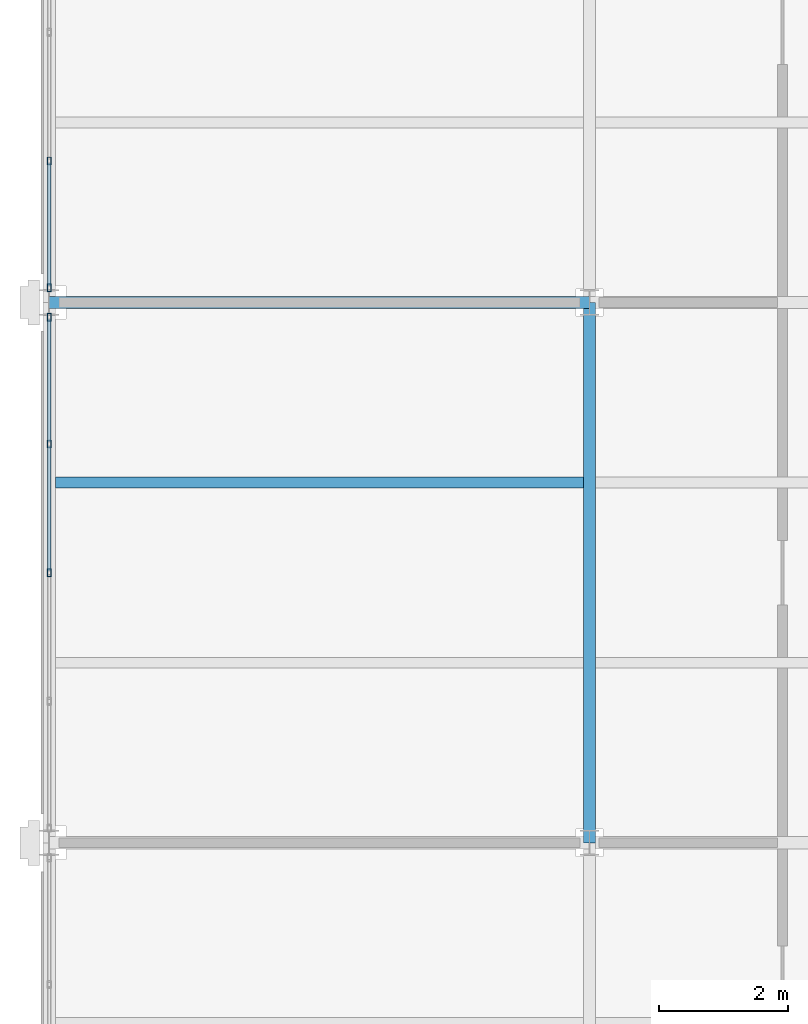
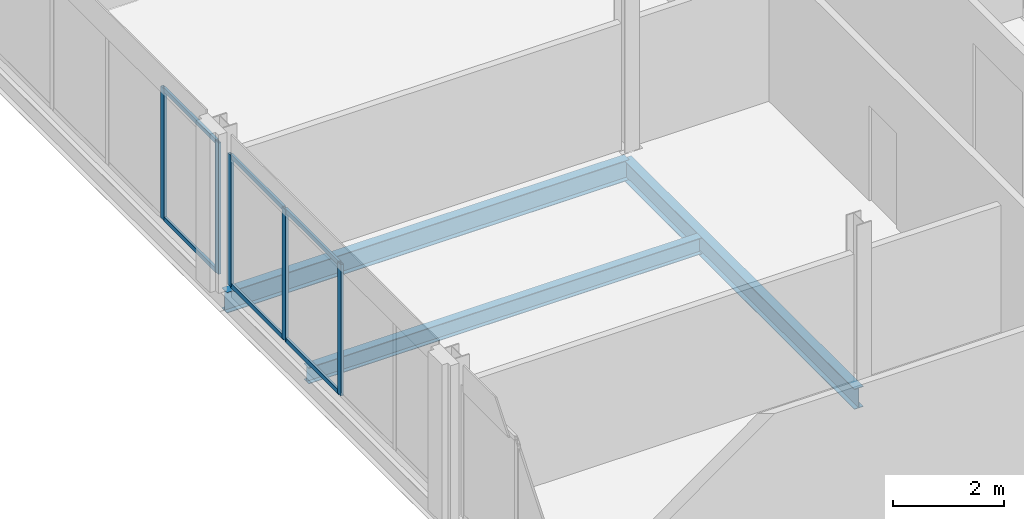
# One storey, part 14 of 32: 11 members, 3 beams, 2 elements without a shape of their own.
"""IFC4 building model written with IfcOpenShell, lengths in metres."""

from ifc_helpers import new_model, si_unit, direction, frame, origin, origin_2d, place, context, subcontext, project, spatial, hollow_rectangle, i_section, extrude, material, material_profile, profile_set, type_object, element, aggregate, save


model = new_model("IFC4")

# Units and contexts
model_context = context("Model", 3, precision=1e-05, world=origin(), true_north=direction((0.0, 1.0)))
body_context = subcontext(model_context, "Body", "Model", "MODEL_VIEW")
ifc_project = project(units=[si_unit("LENGTHUNIT", "METRE"), si_unit("AREAUNIT", "SQUARE_METRE"), si_unit("VOLUMEUNIT", "CUBIC_METRE"), si_unit("PLANEANGLEUNIT", "RADIAN"), si_unit("MASSUNIT", "GRAM", prefix="KILO")], contexts=[model_context])

# Site, building, storey
site_placement = place(None, origin())
site = spatial("IfcSite", under=ifc_project, at=site_placement, CompositionType="ELEMENT")
building_placement = place(site_placement, origin())
building = spatial("IfcBuilding", under=site, at=building_placement, Name="Catenary Quay Ferry Terminal", CompositionType="ELEMENT")
storey_placement = place(building_placement, frame((0.0, 0.0, 17.10009765625)))
storey = spatial("IfcBuildingStorey", under=building, at=storey_placement, Name="L03", CompositionType="ELEMENT", Elevation=17.10009765625)

# Beams
ifc_material_1 = material(Name="Steel S355", Category="steel")
ifc_material_profile_1 = material_profile(ifc_material_1, i_section(OverallWidth=0.18994140625, OverallDepth=0.453369140625, WebThickness=0.008544921875, FlangeThickness=0.0126953125, at=origin_2d()), Name="UB 457x191x67")
ifc_profile_set_1 = profile_set([ifc_material_profile_1], Name="Steel S355")
beam_type_1 = type_object("IfcBeamType", Name="B1 UB 457x191x67", PredefinedType="BEAM", material=ifc_profile_set_1)
beam_1_placement = place(storey_placement, frame((25.199951171875, 193.199951171875, -0.47705078125), z_axis=(1.0, 0.0, 0.0), x_axis=(0.0, 1.0, 0.0)))
element("IfcBeam", 1, at=beam_1_placement, inside=storey, type_object=beam_type_1, Name="Beam B1-007", PredefinedType="BEAM", context=body_context, shape_type="SweptSolid", body=[
    extrude(i_section(OverallWidth=0.18994140625, OverallDepth=0.453369140625, WebThickness=0.008544921875, FlangeThickness=0.0126953125, at=origin_2d()), origin(), (0.0, 0.0, 1.0), 8.400146484375),
])
beam_2_placement = place(storey_placement, frame((33.60009765625, 184.800048828125, -0.47705078125), z_axis=(0.0, 1.0, 0.0), x_axis=(-1.0, 0.0, 0.0)))
element("IfcBeam", 2, at=beam_2_placement, inside=storey, type_object=beam_type_1, Name="Beam B1-024", PredefinedType="BEAM", context=body_context, shape_type="SweptSolid", body=[
    extrude(i_section(OverallWidth=0.18994140625, OverallDepth=0.453369140625, WebThickness=0.008544921875, FlangeThickness=0.0126953125, at=origin_2d()), origin(), (0.0, 0.0, 1.0), 8.39990234375),
])
ifc_material_2 = material(Name="Steel S355", Category="steel")
ifc_material_profile_2 = material_profile(ifc_material_2, i_section(OverallWidth=0.169921875, OverallDepth=0.360107421875, WebThickness=0.008056640625, FlangeThickness=0.0126953125, at=origin_2d()), Name="IPE 360")
ifc_profile_set_2 = profile_set([ifc_material_profile_2], Name="Steel S355")
beam_type_2 = type_object("IfcBeamType", Name="B7 IPE 360", PredefinedType="BEAM", material=ifc_profile_set_2)
beam_3_placement = place(storey_placement, frame((25.294921875, 190.39990234375, -0.43017578125), z_axis=(1.0, 0.0, 0.0), x_axis=(0.0, 1.0, 0.0)))
element("IfcBeam", 3, at=beam_3_placement, inside=storey, type_object=beam_type_2, Name="Beam B7-040", PredefinedType="BEAM", context=body_context, shape_type="SweptSolid", body=[
    extrude(i_section(OverallWidth=0.169921875, OverallDepth=0.360107421875, WebThickness=0.008056640625, FlangeThickness=0.0126953125, at=origin_2d()), origin(), (0.0, 0.0, 1.0), 8.2099609375),
])

# Curtain wall, members
ifc_material_3 = material(Name="Aluminium and glass", Category="aluminium")
curtain_wall_type = type_object("IfcCurtainWallType", Name="CWW3", PredefinedType="NOTDEFINED", material=ifc_material_3)
curtain_wall_1_placement = place(storey_placement, origin())
curtain_wall_1 = element("IfcCurtainWall", 4, at=curtain_wall_1_placement, inside=storey, type_object=curtain_wall_type, Name="Wing curtain wall CW152", PredefinedType="NOTDEFINED")
ifc_material_4 = material(Name="Aluminium", Category="aluminium")
ifc_material_profile_3 = material_profile(ifc_material_4, hollow_rectangle(XDim=0.06005859375, YDim=0.1201171875, WallThickness=0.0048828125, at=origin_2d()), Name="MU4")
ifc_profile_set_3 = profile_set([ifc_material_profile_3], Name="Aluminium")
member_type_1 = type_object("IfcMemberType", Name="MU4", PredefinedType="MULLION", material=ifc_profile_set_3)
member_1_placement = place(storey_placement, frame((25.199951171875, 189.0, 0.0), z_axis=(0.0, 0.0, 1.0), x_axis=(-1.0, 0.0, 0.0)))
member_1 = element("IfcMember", 5, at=member_1_placement, type_object=member_type_1, Name="CW152 mullion 3", PredefinedType="MULLION", context=body_context, shape_type="SweptSolid", body=[
    extrude(hollow_rectangle(XDim=0.06005859375, YDim=0.1201171875, WallThickness=0.0048828125, at=origin_2d()), origin(), (0.0, 0.0, 1.0), 2.89990234375),
])
member_2_placement = place(storey_placement, frame((25.199951171875, 191.0, 0.0), z_axis=(0.0, 0.0, 1.0), x_axis=(-1.0, 0.0, 0.0)))
member_2 = element("IfcMember", 6, at=member_2_placement, type_object=member_type_1, Name="CW152 mullion 4", PredefinedType="MULLION", context=body_context, shape_type="SweptSolid", body=[
    extrude(hollow_rectangle(XDim=0.06005859375, YDim=0.1201171875, WallThickness=0.0048828125, at=origin_2d()), origin(), (0.0, 0.0, 1.0), 2.89990234375),
])
member_3_placement = place(storey_placement, frame((25.199951171875, 192.969970703125, 0.0), z_axis=(0.0, 0.0, 1.0), x_axis=(-1.0, 0.0, 0.0)))
member_3 = element("IfcMember", 7, at=member_3_placement, type_object=member_type_1, Name="CW152 mullion 5", PredefinedType="MULLION", context=body_context, shape_type="SweptSolid", body=[
    extrude(hollow_rectangle(XDim=0.06005859375, YDim=0.1201171875, WallThickness=0.0048828125, at=origin_2d()), origin(), (0.0, 0.0, 1.0), 2.89990234375),
])

curtain_wall_2_placement = place(storey_placement, origin())
curtain_wall_2 = element("IfcCurtainWall", 8, at=curtain_wall_2_placement, inside=storey, type_object=curtain_wall_type, Name="Wing curtain wall CW153", PredefinedType="NOTDEFINED")
member_4_placement = place(storey_placement, frame((25.199951171875, 193.429931640625, 0.0), z_axis=(0.0, 0.0, 1.0), x_axis=(-1.0, 0.0, 0.0)))
member_4 = element("IfcMember", 9, at=member_4_placement, type_object=member_type_1, Name="CW153 mullion 1", PredefinedType="MULLION", context=body_context, shape_type="SweptSolid", body=[
    extrude(hollow_rectangle(XDim=0.06005859375, YDim=0.1201171875, WallThickness=0.0048828125, at=origin_2d()), origin(), (0.0, 0.0, 1.0), 2.89990234375),
])
member_5_placement = place(storey_placement, frame((25.199951171875, 195.39990234375, 0.0), z_axis=(0.0, 0.0, 1.0), x_axis=(-1.0, 0.0, 0.0)))
member_5 = element("IfcMember", 10, at=member_5_placement, type_object=member_type_1, Name="CW153 mullion 2", PredefinedType="MULLION", context=body_context, shape_type="SweptSolid", body=[
    extrude(hollow_rectangle(XDim=0.06005859375, YDim=0.1201171875, WallThickness=0.0048828125, at=origin_2d()), origin(), (0.0, 0.0, 1.0), 2.89990234375),
])

# Member
ifc_material_5 = material(Name="Aluminium", Category="aluminium")
ifc_material_profile_4 = material_profile(ifc_material_5, hollow_rectangle(XDim=0.050048828125, YDim=0.10009765625, WallThickness=0.00390625, at=origin_2d()), Name="TR4")
ifc_profile_set_4 = profile_set([ifc_material_profile_4], Name="Aluminium")
member_type_2 = type_object("IfcMemberType", Name="TR4", PredefinedType="USERDEFINED", material=ifc_profile_set_4)
member_6_placement = place(storey_placement, frame((25.199951171875, 189.030029296875, 0.02490234375), z_axis=(0.0, 1.0, 0.0), x_axis=(-1.0, 0.0, 0.0)))
member_6 = element("IfcMember", 11, at=member_6_placement, type_object=member_type_2, Name="CW152 transom 3.1", ObjectType="TRANSOM", PredefinedType="USERDEFINED", context=body_context, shape_type="SweptSolid", body=[
    extrude(hollow_rectangle(XDim=0.050048828125, YDim=0.10009765625, WallThickness=0.00390625, at=origin_2d()), origin(), (0.0, 0.0, 1.0), 1.93994140625),
])

member_7_placement = place(storey_placement, frame((25.199951171875, 189.030029296875, 2.875), z_axis=(0.0, 1.0, 0.0), x_axis=(-1.0, 0.0, 0.0)))
member_7 = element("IfcMember", 12, at=member_7_placement, type_object=member_type_2, Name="CW152 transom 3.2", ObjectType="TRANSOM", PredefinedType="USERDEFINED", context=body_context, shape_type="SweptSolid", body=[
    extrude(hollow_rectangle(XDim=0.050048828125, YDim=0.10009765625, WallThickness=0.00390625, at=origin_2d()), origin(), (0.0, 0.0, 1.0), 1.93994140625),
])

member_8_placement = place(storey_placement, frame((25.199951171875, 191.030029296875, 0.02490234375), z_axis=(0.0, 1.0, 0.0), x_axis=(-1.0, 0.0, 0.0)))
member_8 = element("IfcMember", 13, at=member_8_placement, type_object=member_type_2, Name="CW152 transom 4.1", ObjectType="TRANSOM", PredefinedType="USERDEFINED", context=body_context, shape_type="SweptSolid", body=[
    extrude(hollow_rectangle(XDim=0.050048828125, YDim=0.10009765625, WallThickness=0.00390625, at=origin_2d()), origin(), (0.0, 0.0, 1.0), 1.909912109375),
])

member_9_placement = place(storey_placement, frame((25.199951171875, 191.030029296875, 2.875), z_axis=(0.0, 1.0, 0.0), x_axis=(-1.0, 0.0, 0.0)))
member_9 = element("IfcMember", 14, at=member_9_placement, type_object=member_type_2, Name="CW152 transom 4.2", ObjectType="TRANSOM", PredefinedType="USERDEFINED", context=body_context, shape_type="SweptSolid", body=[
    extrude(hollow_rectangle(XDim=0.050048828125, YDim=0.10009765625, WallThickness=0.00390625, at=origin_2d()), origin(), (0.0, 0.0, 1.0), 1.909912109375),
])

aggregate(curtain_wall_1, [member_1, member_2, member_3, member_6, member_7, member_8, member_9])

member_10_placement = place(storey_placement, frame((25.199951171875, 193.4599609375, 0.02490234375), z_axis=(0.0, 1.0, 0.0), x_axis=(-1.0, 0.0, 0.0)))
member_10 = element("IfcMember", 15, at=member_10_placement, type_object=member_type_2, Name="CW153 transom 1.1", ObjectType="TRANSOM", PredefinedType="USERDEFINED", context=body_context, shape_type="SweptSolid", body=[
    extrude(hollow_rectangle(XDim=0.050048828125, YDim=0.10009765625, WallThickness=0.00390625, at=origin_2d()), origin(), (0.0, 0.0, 1.0), 1.91015625),
])

member_11_placement = place(storey_placement, frame((25.199951171875, 193.4599609375, 2.875), z_axis=(0.0, 1.0, 0.0), x_axis=(-1.0, 0.0, 0.0)))
member_11 = element("IfcMember", 16, at=member_11_placement, type_object=member_type_2, Name="CW153 transom 1.2", ObjectType="TRANSOM", PredefinedType="USERDEFINED", context=body_context, shape_type="SweptSolid", body=[
    extrude(hollow_rectangle(XDim=0.050048828125, YDim=0.10009765625, WallThickness=0.00390625, at=origin_2d()), origin(), (0.0, 0.0, 1.0), 1.91015625),
])

aggregate(curtain_wall_2, [member_4, member_5, member_10, member_11])

save(model, "model.ifc")
